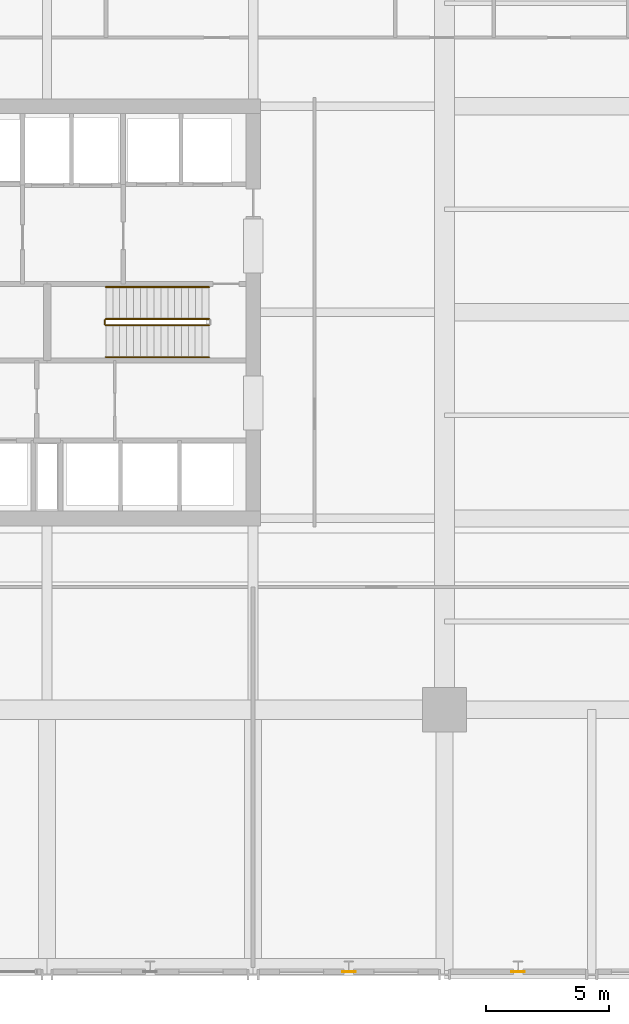
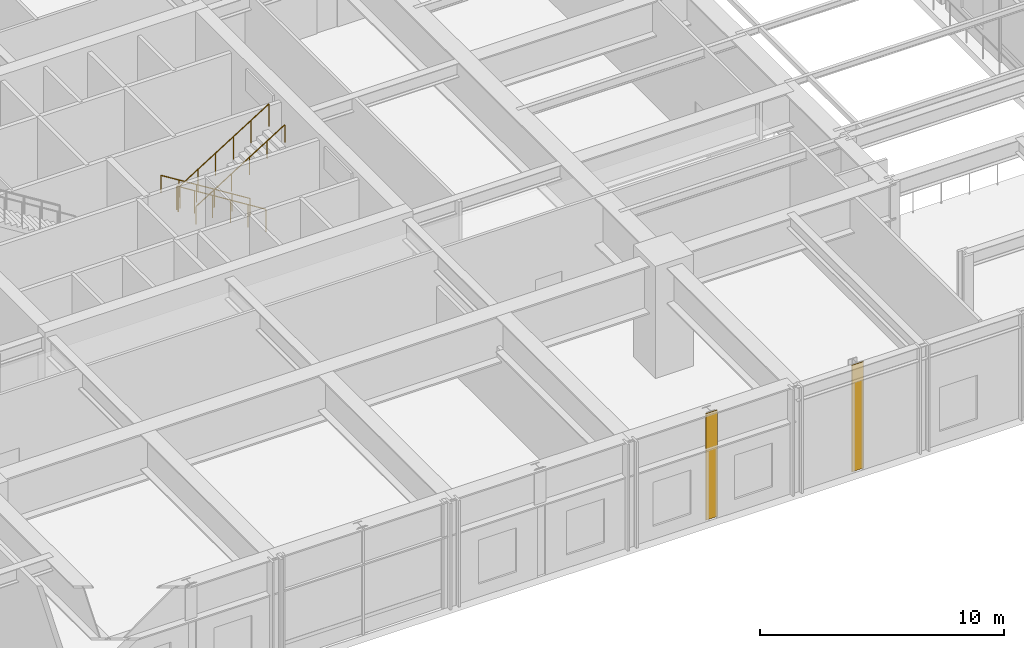
# One storey, part 16 of 19: 5 railings, 2 coverings.
"""IFC4 building model written with IfcOpenShell, lengths in metres."""

from ifc_helpers import new_model, si_unit, direction, frame, origin, origin_2d, place, context, subcontext, project, spatial, rectangle, circle, extrude, material, layer, layer_set, type_object, element, save


model = new_model("IFC4")

# Units and contexts
model_context = context("Model", 3, precision=1e-05, world=origin(), true_north=direction((0.0, 1.0)))
body_context = subcontext(model_context, "Body", "Model", "MODEL_VIEW")
ifc_project = project(units=[si_unit("LENGTHUNIT", "METRE"), si_unit("AREAUNIT", "SQUARE_METRE"), si_unit("VOLUMEUNIT", "CUBIC_METRE"), si_unit("PLANEANGLEUNIT", "RADIAN"), si_unit("MASSUNIT", "GRAM", prefix="KILO")], contexts=[model_context])

# Site, building, storey
site_placement = place(None, origin())
site = spatial("IfcSite", under=ifc_project, at=site_placement, CompositionType="ELEMENT")
building_placement = place(site_placement, origin())
building = spatial("IfcBuilding", under=site, at=building_placement, Name="Drelvath Grand Hotel", CompositionType="ELEMENT")
storey_placement = place(building_placement, frame((0.0, 0.0, 27.60009765625)))
storey = spatial("IfcBuildingStorey", under=building, at=storey_placement, Name="L05", CompositionType="ELEMENT", Elevation=27.60009765625)

# Coverings
ifc_material_1 = material(Name="Warm Bronze Anodised Aluminium Cladding", Category="aluminium")
ifc_layer = layer(ifc_material_1, 0.034912109375)
ifc_layer_set = layer_set([ifc_layer], Name="Warm Bronze Anodised Aluminium Cladding")
covering_type = type_object("IfcCoveringType", Name="Bronze Anodised Pier Cladding Panel 35", PredefinedType="CLADDING", material=ifc_layer_set)
for number, where, z_axis, x_axis, name in (
    (1, (12.300048828125, 0.1201171875, 0.0), (0.0, 0.0, 1.0), (1.0, 0.0, 0.0), "L05 Colonnade Bronze Pier Cladding S4"),
    (2, (19.199951171875, 0.1201171875, 0.0), (0.0, 0.0, 1.0), (1.0, 0.0, 0.0), "L05 Colonnade Bronze Pier Cladding S5"),
):
    element("IfcCovering", number, at=place(storey_placement, frame(where, z_axis=z_axis, x_axis=x_axis)), inside=storey, type_object=covering_type, Name=name, PredefinedType="CLADDING", context=body_context, shape_type="SweptSolid", body=[
        extrude(rectangle(XDim=0.550048828125, YDim=0.034912109375, at=origin_2d()), origin(), (0.0, 0.0, 1.0), 5.320068359375),
    ])

# Railings
ifc_material_2 = material(Name="Painted Steel S275", Category="steel")
railing_type_1 = type_object("IfcRailingType", Name="Core Stair Wall Handrail 900", PredefinedType="HANDRAIL", material=ifc_material_2)
railing_1_placement = place(storey_placement, frame((6.60009765625, 28.030029296875, 0.1748046875)))
element("IfcRailing", 3, at=railing_1_placement, inside=storey, type_object=railing_type_1, Name="L05 ST-2 stair handrail 1", PredefinedType="HANDRAIL", context=body_context, shape_type="SweptSolid", body=[
    extrude(circle(Radius=0.02392578125, at=origin_2d()), frame((0.0, 0.0, 0.8759765625), z_axis=(-0.848009380541, 0.0, 0.529981217134), x_axis=(0.0, -1.0, 0.0)), (0.0, 0.0, 1.0), 4.953125),
    extrude(circle(Radius=0.02099609375, at=origin_2d()), origin(), (0.0, 0.0, 1.0), 0.851806640625),
    extrude(circle(Radius=0.02099609375, at=origin_2d()), frame((-0.840087890625, 0.0, 0.52490234375)), (0.0, 0.0, 1.0), 0.851806640625),
    extrude(circle(Radius=0.02099609375, at=origin_2d()), frame((-1.68017578125, 0.0, 1.050048828125)), (0.0, 0.0, 1.0), 0.851806640625),
    extrude(circle(Radius=0.02099609375, at=origin_2d()), frame((-2.52001953125, 0.0, 1.574951171875)), (0.0, 0.0, 1.0), 0.851806640625),
    extrude(circle(Radius=0.02099609375, at=origin_2d()), frame((-3.360107421875, 0.0, 2.10009765625)), (0.0, 0.0, 1.0), 0.851806640625),
    extrude(circle(Radius=0.02099609375, at=origin_2d()), frame((-4.2001953125, 0.0, 2.625)), (0.0, 0.0, 1.0), 0.851806640625),
])
railing_2_placement = place(storey_placement, frame((2.39990234375, 25.169921875, 2.974853515625)))
element("IfcRailing", 4, at=railing_2_placement, inside=storey, type_object=railing_type_1, Name="L05 ST-2 stair handrail 2", PredefinedType="HANDRAIL", context=body_context, shape_type="SweptSolid", body=[
    extrude(circle(Radius=0.02392578125, at=origin_2d()), frame((0.0, 0.0, 0.8759765625), z_axis=(0.848009380541, 0.0, 0.529981217134), x_axis=(0.0, 1.0, 0.0)), (0.0, 0.0, 1.0), 4.953125),
    extrude(circle(Radius=0.02099609375, at=origin_2d()), origin(), (0.0, 0.0, 1.0), 0.851806640625),
    extrude(circle(Radius=0.02099609375, at=origin_2d()), frame((0.840087890625, 0.0, 0.52490234375)), (0.0, 0.0, 1.0), 0.851806640625),
    extrude(circle(Radius=0.02099609375, at=origin_2d()), frame((1.68017578125, 0.0, 1.050048828125)), (0.0, 0.0, 1.0), 0.851806640625),
    extrude(circle(Radius=0.02099609375, at=origin_2d()), frame((2.52001953125, 0.0, 1.574951171875)), (0.0, 0.0, 1.0), 0.851806640625),
    extrude(circle(Radius=0.02099609375, at=origin_2d()), frame((3.360107421875, 0.0, 2.10009765625)), (0.0, 0.0, 1.0), 0.851806640625),
    extrude(circle(Radius=0.02099609375, at=origin_2d()), frame((4.2001953125, 0.0, 2.625)), (0.0, 0.0, 1.0), 0.851806640625),
])
railing_type_2 = type_object("IfcRailingType", Name="Core Stair Well Guardrail 1100", PredefinedType="GUARDRAIL", material=ifc_material_2)
railing_3_placement = place(storey_placement, frame((6.60009765625, 26.72998046875, 0.1748046875)))
element("IfcRailing", 5, at=railing_3_placement, inside=storey, type_object=railing_type_2, Name="L05 ST-2 stair guard 1", PredefinedType="GUARDRAIL", context=body_context, shape_type="SweptSolid", body=[
    extrude(circle(Radius=0.02392578125, at=origin_2d()), frame((0.0, 0.0, 1.1259765625), z_axis=(-0.848009380541, 0.0, 0.529981217134), x_axis=(0.0, -1.0, 0.0)), (0.0, 0.0, 1.0), 4.953125),
    extrude(circle(Radius=0.02099609375, at=origin_2d()), origin(), (0.0, 0.0, 1.0), 1.101806640625),
    extrude(circle(Radius=0.02099609375, at=origin_2d()), frame((-0.840087890625, 0.0, 0.52490234375)), (0.0, 0.0, 1.0), 1.101806640625),
    extrude(circle(Radius=0.02099609375, at=origin_2d()), frame((-1.68017578125, 0.0, 1.050048828125)), (0.0, 0.0, 1.0), 1.101806640625),
    extrude(circle(Radius=0.02099609375, at=origin_2d()), frame((-2.52001953125, 0.0, 1.574951171875)), (0.0, 0.0, 1.0), 1.101806640625),
    extrude(circle(Radius=0.02099609375, at=origin_2d()), frame((-3.360107421875, 0.0, 2.10009765625)), (0.0, 0.0, 1.0), 1.101806640625),
    extrude(circle(Radius=0.02099609375, at=origin_2d()), frame((-4.2001953125, 0.0, 2.625)), (0.0, 0.0, 1.0), 1.101806640625),
])
railing_4_placement = place(storey_placement, frame((2.35009765625, 26.679931640625, 2.7998046875)))
element("IfcRailing", 6, at=railing_4_placement, inside=storey, type_object=railing_type_2, Name="L05 ST-2 stair guard 2", PredefinedType="GUARDRAIL", context=body_context, shape_type="SweptSolid", body=[
    extrude(circle(Radius=0.02392578125, at=origin_2d()), frame((0.0, 0.0, 1.1259765625), z_axis=(0.0, -1.0, 0.0), x_axis=(1.0, 0.0, 0.0)), (0.0, 0.0, 1.0), 0.159912109375),
    extrude(circle(Radius=0.02099609375, at=origin_2d()), origin(), (0.0, 0.0, 1.0), 1.101806640625),
    extrude(circle(Radius=0.02099609375, at=origin_2d()), frame((0.0, -0.159912109375, 0.0)), (0.0, 0.0, 1.0), 1.101806640625),
])
railing_5_placement = place(storey_placement, frame((2.39990234375, 26.469970703125, 2.974853515625)))
element("IfcRailing", 7, at=railing_5_placement, inside=storey, type_object=railing_type_2, Name="L05 ST-2 stair guard 3", PredefinedType="GUARDRAIL", context=body_context, shape_type="SweptSolid", body=[
    extrude(circle(Radius=0.02392578125, at=origin_2d()), frame((0.0, 0.0, 1.1259765625), z_axis=(0.848009380541, 0.0, 0.529981217134), x_axis=(0.0, 1.0, 0.0)), (0.0, 0.0, 1.0), 4.953125),
    extrude(circle(Radius=0.02099609375, at=origin_2d()), origin(), (0.0, 0.0, 1.0), 1.101806640625),
    extrude(circle(Radius=0.02099609375, at=origin_2d()), frame((0.840087890625, 0.0, 0.52490234375)), (0.0, 0.0, 1.0), 1.101806640625),
    extrude(circle(Radius=0.02099609375, at=origin_2d()), frame((1.68017578125, 0.0, 1.050048828125)), (0.0, 0.0, 1.0), 1.101806640625),
    extrude(circle(Radius=0.02099609375, at=origin_2d()), frame((2.52001953125, 0.0, 1.574951171875)), (0.0, 0.0, 1.0), 1.101806640625),
    extrude(circle(Radius=0.02099609375, at=origin_2d()), frame((3.360107421875, 0.0, 2.10009765625)), (0.0, 0.0, 1.0), 1.101806640625),
    extrude(circle(Radius=0.02099609375, at=origin_2d()), frame((4.2001953125, 0.0, 2.625)), (0.0, 0.0, 1.0), 1.101806640625),
])

save(model, "model.ifc")
